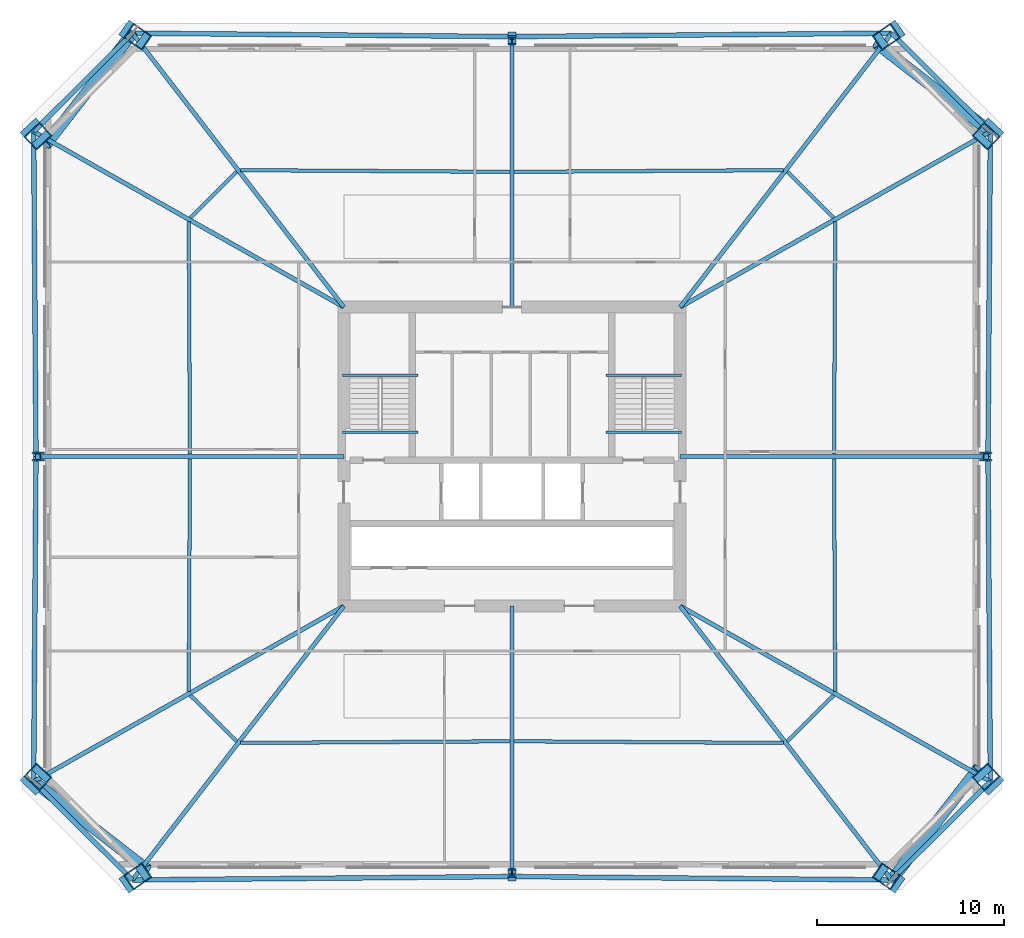
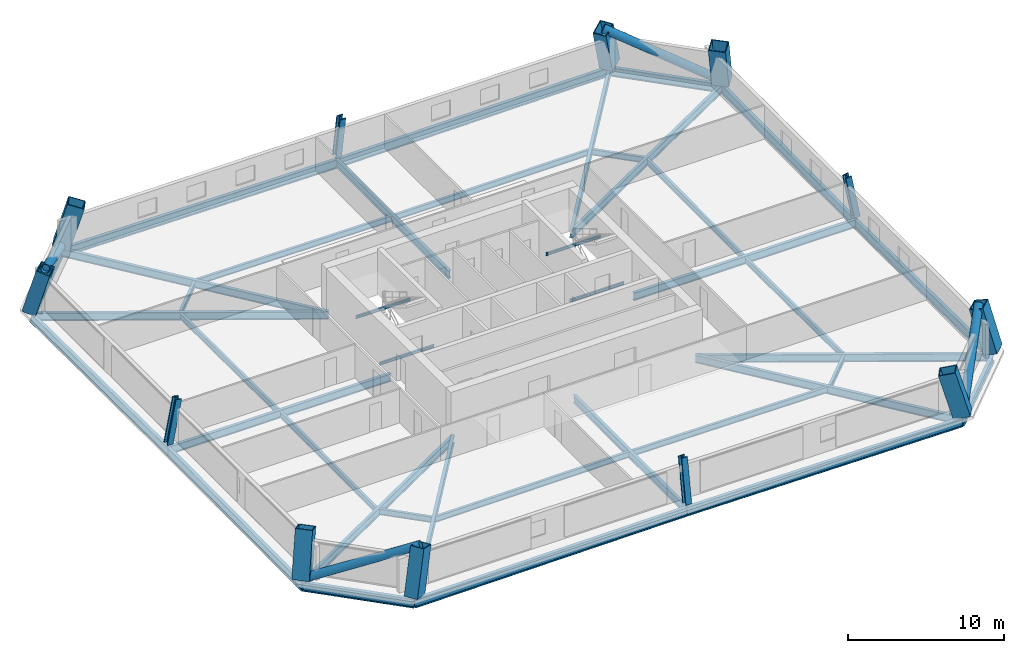
# One storey, part 1 of 10: 40 beams, 12 columns, 4 members.
"""IFC4 building model written with IfcOpenShell, lengths in metres."""

import ifcopenshell
import ifcopenshell.guid

model = None  # the IFC model being written
_history = None  # IfcOwnerHistory: only IFC2X3 demands one
_inside = {}  # id of a spatial element -> (the spatial element, [elements in it])
_under = {}  # id of a project, library or spatial element -> (it, [spatial elements below it])
_declared = {}  # id of a project -> (the project, [libraries it declares])
_typed = {}  # id of a type object -> (the type object, [elements of that type])
_made_of = {}  # id of a material, layer set ... -> (it, [elements and type objects made of it])


def new_model(schema):
    """Start an empty IFC model of exactly this schema.

    Asked for "IFC4X3", IfcOpenShell would pick the latest addendum, in which some entities
    have other attributes; the version numbers below select the first issue.
    IFC2X3 requires an IfcOwnerHistory on every rooted entity: one is made here for all.
    """
    global model, _history
    if schema == "IFC4X3":
        model = ifcopenshell.file(schema_version=(4, 3, 0, 0))
    else:
        model = ifcopenshell.file(schema=schema)
    _inside.clear()
    _under.clear()
    _declared.clear()
    _typed.clear()
    _made_of.clear()
    _history = None
    if model.schema == "IFC2X3":
        org = make("IfcOrganization", Name="unknown")
        user = make(
            "IfcPersonAndOrganization",
            ThePerson=make("IfcPerson", FamilyName="unknown"),
            TheOrganization=org,
        )
        app = make(
            "IfcApplication",
            ApplicationDeveloper=org,
            Version="unknown",
            ApplicationFullName="unknown",
            ApplicationIdentifier="unknown",
        )
        _history = make(
            "IfcOwnerHistory",
            OwningUser=user,
            OwningApplication=app,
            ChangeAction="ADDED",
            CreationDate=0,
        )
    return model


def make(cls, **values):
    """One entity of the class cls with the attributes given. An attribute that is None is left unset."""
    return model.create_entity(
        cls, **{name: value for name, value in values.items() if value is not None}
    )


def rooted(cls, **values):
    """An entity with a GlobalId (a new one), such as an element, a storey or a relation."""
    return make(cls, GlobalId=ifcopenshell.guid.new(), OwnerHistory=_history, **values)


def si_unit(unit_type, name, prefix=None):
    """IfcSIUnit, for example si_unit("LENGTHUNIT", "METRE", prefix="MILLI")."""
    return make("IfcSIUnit", UnitType=unit_type, Prefix=prefix, Name=name)


def assignment(units):
    """IfcUnitAssignment: the units of a project."""
    return None if units is None else make("IfcUnitAssignment", Units=units)


def point(xyz):
    """IfcCartesianPoint."""
    return None if xyz is None else make("IfcCartesianPoint", Coordinates=xyz)


def direction(xyz):
    """IfcDirection."""
    return None if xyz is None else make("IfcDirection", DirectionRatios=xyz)


def frame(location, z_axis=None, x_axis=None):
    """IfcAxis2Placement3D, a coordinate frame: its origin and axes. An axis left out is left unset."""
    return make(
        "IfcAxis2Placement3D",
        Location=point(location),
        Axis=direction(z_axis),
        RefDirection=direction(x_axis),
    )


def frame_2d(location, x_axis=None):
    """IfcAxis2Placement2D, a coordinate frame in the plane: its origin and x axis."""
    return make(
        "IfcAxis2Placement2D", Location=point(location), RefDirection=direction(x_axis)
    )


def origin():
    """The frame at (0, 0, 0) with its axes left unset."""
    return frame((0.0, 0.0, 0.0))


def origin_2d():
    """The frame at (0, 0) in the plane with its x axis left unset."""
    return frame_2d((0.0, 0.0))


def place(relative_to, where):
    """IfcLocalPlacement: puts the frame where relative to a parent placement (None: the world)."""
    return make(
        "IfcLocalPlacement", PlacementRelTo=relative_to, RelativePlacement=where
    )


def context(
    kind, dimensions, precision=None, world=None, true_north=None, identifier=None
):
    """IfcGeometricRepresentationContext, for example the 3D "Model" context."""
    return make(
        "IfcGeometricRepresentationContext",
        ContextIdentifier=identifier,
        ContextType=kind,
        CoordinateSpaceDimension=dimensions,
        Precision=precision,
        WorldCoordinateSystem=world,
        TrueNorth=true_north,
    )


def subcontext(parent, identifier, kind, view, scale=None):
    """IfcGeometricRepresentationSubContext, for example "Body" below "Model"."""
    return make(
        "IfcGeometricRepresentationSubContext",
        ContextIdentifier=identifier,
        ContextType=kind,
        ParentContext=parent,
        TargetScale=scale,
        TargetView=view,
    )


def project(units=None, contexts=None):
    """IfcProject with its units and contexts."""
    return rooted(
        "IfcProject",
        Name="project",
        RepresentationContexts=contexts,
        UnitsInContext=assignment(units),
    )


def spatial(cls, under=None, at=None, **own):
    """A site, building, storey or space (cls), placed at a placement, below another one or the project."""
    s = rooted(cls, ObjectPlacement=at, **own)
    if under is not None:
        _under.setdefault(under.id(), (under, []))[1].append(s)
    return s


def profile(cls, at=None, kind="AREA", **sizes):
    """A parametric profile (cls). Its sizes go by their IFC names, for example OverallWidth=200.0."""
    return make(cls, ProfileType=kind, Position=at, **sizes)


def hollow_rectangle(**sizes):
    """IfcRectangleHollowProfileDef."""
    return profile("IfcRectangleHollowProfileDef", **sizes)


def hollow_circle(**sizes):
    """IfcCircleHollowProfileDef."""
    return profile("IfcCircleHollowProfileDef", **sizes)


def i_section(**sizes):
    """IfcIShapeProfileDef."""
    return profile("IfcIShapeProfileDef", **sizes)


def extrude(swept, where, along, depth):
    """IfcExtrudedAreaSolid: the profile swept, set in the frame where, extruded along a direction by depth."""
    return make(
        "IfcExtrudedAreaSolid",
        SweptArea=swept,
        Position=where,
        ExtrudedDirection=direction(along),
        Depth=depth,
    )


def shape(context_of_items, identifier, shape_type, items):
    """IfcShapeRepresentation: the items that make up one representation, for example the "Body"."""
    return make(
        "IfcShapeRepresentation",
        ContextOfItems=context_of_items,
        RepresentationIdentifier=identifier,
        RepresentationType=shape_type,
        Items=items,
    )


def material(Name=None, Category=None):
    """IfcMaterial."""
    return make("IfcMaterial", Name=Name, Category=Category)


def material_profile(
    of_material, cross_section, Name=None, Category=None, Priority=None
):
    """IfcMaterialProfile: a cross section and its material."""
    return make(
        "IfcMaterialProfile",
        Name=Name,
        Material=of_material,
        Profile=cross_section,
        Priority=Priority,
        Category=Category,
    )


def profile_set(profiles, Name=None, composite=None):
    """IfcMaterialProfileSet."""
    return make(
        "IfcMaterialProfileSet",
        Name=Name,
        MaterialProfiles=profiles,
        CompositeProfile=composite,
    )


def made_of(thing, what):
    """Note that an element or type object is made of a material, layer set ...; save() writes the relation."""
    if what is not None:
        _made_of.setdefault(what.id(), (what, []))[1].append(thing)
    return thing


def type_object(cls, material=None, **own):
    """A type object (cls), such as IfcWallType, which elements share."""
    return made_of(rooted(cls, **own), material)


def element(
    cls,
    number,
    at=None,
    inside=None,
    cuts=None,
    type_object=None,
    material=None,
    context=None,
    identifier="Body",
    shape_type=None,
    held_by="IfcProductDefinitionShape",
    body=None,
    shapes=None,
    **own,
):
    """One element of the class cls, such as IfcWall. Its Tag is "e" and its number.

    at: its placement. inside: the storey or other place that contains it. cuts: it is an
    opening in that element (IfcRelVoidsElement). A single representation is given by context,
    identifier, shape_type and body (its items); several are given by shapes. held_by: the class
    of the entity that holds the representations. save() writes the other relations.
    """
    e = rooted(cls, Tag="e%d" % number, ObjectPlacement=at, **own)
    if body is not None:
        shapes = [shape(context, identifier, shape_type, body)]
    if shapes is not None:
        e.Representation = make(held_by, Representations=shapes)
    if inside is not None:
        _inside.setdefault(inside.id(), (inside, []))[1].append(e)
    if cuts is not None:
        rooted(
            "IfcRelVoidsElement", RelatingBuildingElement=cuts, RelatedOpeningElement=e
        )
    if type_object is not None:
        _typed.setdefault(type_object.id(), (type_object, []))[1].append(e)
    return made_of(e, material)


def aggregate(whole, parts):
    """IfcRelAggregates: a whole, such as a stair, and the parts it consists of."""
    return rooted("IfcRelAggregates", RelatingObject=whole, RelatedObjects=parts)


def save(model, path):
    """Write the relations noted so far, then the file.

    IfcRelAggregates (storeys below a building ...), IfcRelContainedInSpatialStructure (elements
    in a storey), IfcRelDefinesByType, IfcRelAssociatesMaterial and IfcRelDeclares: one each for
    every whole, place, type object, material and project.
    """
    for whole, parts in _under.values():
        aggregate(whole, parts)
    for where, things in _inside.values():
        rooted(
            "IfcRelContainedInSpatialStructure",
            RelatedElements=things,
            RelatingStructure=where,
        )
    for kind, things in _typed.values():
        rooted("IfcRelDefinesByType", RelatedObjects=things, RelatingType=kind)
    for what, things in _made_of.values():
        rooted("IfcRelAssociatesMaterial", RelatedObjects=things, RelatingMaterial=what)
    for by, libraries in _declared.values():
        rooted("IfcRelDeclares", RelatingContext=by, RelatedDefinitions=libraries)
    model.write(path)


model = new_model("IFC4")

# Units and contexts
model_context = context("Model", 3, precision=1e-05, world=origin(), true_north=direction((0.0, 1.0)))
body_context = subcontext(model_context, "Body", "Model", "MODEL_VIEW")
ifc_project = project(units=[si_unit("LENGTHUNIT", "METRE"), si_unit("AREAUNIT", "SQUARE_METRE"), si_unit("VOLUMEUNIT", "CUBIC_METRE"), si_unit("PLANEANGLEUNIT", "RADIAN"), si_unit("MASSUNIT", "GRAM", prefix="KILO")], contexts=[model_context])

# Site, building, storey
site_placement = place(None, origin())
site = spatial("IfcSite", under=ifc_project, at=site_placement, CompositionType="ELEMENT")
building_placement = place(site_placement, origin())
building = spatial("IfcBuilding", under=site, at=building_placement, Name="Caelvoria Tower", CompositionType="ELEMENT")
storey_placement = place(building_placement, frame((0.0, 0.0, 78.39990234375)))
storey = spatial("IfcBuildingStorey", under=building, at=storey_placement, Name="L20", CompositionType="ELEMENT", Elevation=78.39990234375)

# Columns
ifc_material_1 = material(Name="Structural Steel ASTM A913 Gr.65", Category="steel")
ifc_material_profile_1 = material_profile(ifc_material_1, i_section(OverallWidth=0.427978515625, OverallDepth=0.48291015625, WebThickness=0.050537109375, FlangeThickness=0.08154296875, FilletRadius=0.02490234375, at=origin_2d()), Name="Structural Steel ASTM A913 Gr.65")
ifc_profile_set_1 = profile_set([ifc_material_profile_1], Name="W360X677 - Structural Steel ASTM A913 Gr.65")
column_type_1 = type_object("IfcColumnType", Name="Heavy Frame Column W360X677", PredefinedType="COLUMN", material=ifc_profile_set_1)
column_1_placement = place(storey_placement, frame((46.0, 9.52001953125, 0.0), z_axis=(0.0, 0.161641018094, 0.986849624446), x_axis=(-1.0, 0.0, 0.0)))
element("IfcColumn", 1, at=column_1_placement, inside=storey, type_object=column_type_1, Name="Perimeter Megaframe Column L20-P01", PredefinedType="COLUMN", context=body_context, shape_type="SweptSolid", body=[
    extrude(i_section(OverallWidth=0.427978515625, OverallDepth=0.48291015625, WebThickness=0.050537109375, FlangeThickness=0.08154296875, FilletRadius=0.02490234375, at=origin_2d()), origin(), (0.0, 0.0, 1.0), 3.40283203125),
])
column_2_placement = place(storey_placement, frame((71.47998046875, 32.0, 0.0), z_axis=(-0.190004151907, 0.0, 0.981783286809), x_axis=(0.981783286809, 0.0, 0.190004151907)))
element("IfcColumn", 2, at=column_2_placement, inside=storey, type_object=column_type_1, Name="Perimeter Megaframe Column L20-P04", PredefinedType="COLUMN", context=body_context, shape_type="SweptSolid", body=[
    extrude(i_section(OverallWidth=0.427978515625, OverallDepth=0.48291015625, WebThickness=0.050537109375, FlangeThickness=0.08154296875, FilletRadius=0.02490234375, at=origin_2d()), origin(), (0.0, 0.0, 1.0), 3.42041015625),
])
column_3_placement = place(storey_placement, frame((46.0, 54.47998046875, 0.0), z_axis=(0.0, -0.161641018094, 0.986849624446), x_axis=(1.0, 0.0, 0.0)))
element("IfcColumn", 3, at=column_3_placement, inside=storey, type_object=column_type_1, Name="Perimeter Megaframe Column L20-P07", PredefinedType="COLUMN", context=body_context, shape_type="SweptSolid", body=[
    extrude(i_section(OverallWidth=0.427978515625, OverallDepth=0.48291015625, WebThickness=0.050537109375, FlangeThickness=0.08154296875, FilletRadius=0.02490234375, at=origin_2d()), origin(), (0.0, 0.0, 1.0), 3.40283203125),
])
column_4_placement = place(storey_placement, frame((20.52001953125, 32.0, 0.0), z_axis=(0.190004151907, 0.0, 0.981783286809), x_axis=(-0.981783286809, 0.0, 0.190004151907)))
element("IfcColumn", 4, at=column_4_placement, inside=storey, type_object=column_type_1, Name="Perimeter Megaframe Column L20-P10", PredefinedType="COLUMN", context=body_context, shape_type="SweptSolid", body=[
    extrude(i_section(OverallWidth=0.427978515625, OverallDepth=0.48291015625, WebThickness=0.050537109375, FlangeThickness=0.08154296875, FilletRadius=0.02490234375, at=origin_2d()), origin(), (0.0, 0.0, 1.0), 3.42041015625),
])
ifc_material_2 = material(Name="Structural Steel ASTM A572 Gr.50", Category="steel")
ifc_material_profile_2 = material_profile(ifc_material_2, hollow_rectangle(XDim=0.949951171875, YDim=1.14990234375, WallThickness=0.06005859375, at=origin_2d()), Name="Structural Steel ASTM A572 Gr.50")
ifc_profile_set_2 = profile_set([ifc_material_profile_2], Name="BOX1150X950X60 - Structural Steel ASTM A572 Gr.50")
column_type_2 = type_object("IfcColumnType", Name="Mega Box Column 1150x950x60", PredefinedType="COLUMN", material=ifc_profile_set_2)
for number, where, z_axis, x_axis, name in (
    (5, (25.6806640625, 9.336181640625, 0.0), (0.227706652534, 0.158346926777, 0.960768406627), (-0.570924282853, 0.821002718174, 0.0), "Perimeter Megaframe Column L20-P00"),
    (6, (66.3193359375, 9.336181640625, 0.0), (-0.227706652534, 0.158346926777, 0.960768406627), (-0.570924282853, -0.821002718174, 0.0), "Perimeter Megaframe Column L20-P02"),
):
    element("IfcColumn", number, at=place(storey_placement, frame(where, z_axis=z_axis, x_axis=x_axis)), inside=storey, type_object=column_type_2, Name=name, PredefinedType="COLUMN", context=body_context, shape_type="SweptSolid", body=[
        extrude(hollow_rectangle(XDim=0.949951171875, YDim=1.14990234375, WallThickness=0.06005859375, at=origin_2d()), origin(), (0.0, 0.0, 1.0), 3.495361328125),
    ])
for number, where, z_axis, x_axis, name in (
    (7, (71.6044921875, 14.6044921875, 0.0), (-0.186998264307, 0.199376234682, 0.961915155401), (0.658048855079, -0.701607062764, 0.273348191525), "Perimeter Megaframe Column L20-P03"),
    (8, (71.6044921875, 49.3955078125, 0.0), (-0.186998264307, -0.199376234682, 0.961915155401), (0.658048855079, 0.701607062764, 0.273348191525), "Perimeter Megaframe Column L20-P05"),
):
    element("IfcColumn", number, at=place(storey_placement, frame(where, z_axis=z_axis, x_axis=x_axis)), inside=storey, type_object=column_type_2, Name=name, PredefinedType="COLUMN", context=body_context, shape_type="SweptSolid", body=[
        extrude(hollow_rectangle(XDim=0.949951171875, YDim=1.14990234375, WallThickness=0.06005859375, at=origin_2d()), origin(), (0.0, 0.0, 1.0), 3.4912109375),
    ])
for number, where, z_axis, x_axis, name in (
    (9, (66.3193359375, 54.663818359375, 0.0), (-0.227706652534, -0.158346926777, 0.960768406627), (0.570924282853, -0.821002718174, 0.0), "Perimeter Megaframe Column L20-P06"),
    (10, (25.6806640625, 54.663818359375, 0.0), (0.227706652534, -0.158346926777, 0.960768406627), (0.570924282853, 0.821002718174, 0.0), "Perimeter Megaframe Column L20-P08"),
):
    element("IfcColumn", number, at=place(storey_placement, frame(where, z_axis=z_axis, x_axis=x_axis)), inside=storey, type_object=column_type_2, Name=name, PredefinedType="COLUMN", context=body_context, shape_type="SweptSolid", body=[
        extrude(hollow_rectangle(XDim=0.949951171875, YDim=1.14990234375, WallThickness=0.06005859375, at=origin_2d()), origin(), (0.0, 0.0, 1.0), 3.495361328125),
    ])
for number, where, z_axis, x_axis, name in (
    (11, (20.3955078125, 49.3955078125, 0.0), (0.186998264307, -0.199376234682, 0.961915155401), (-0.658048855079, 0.701607062764, 0.273348191525), "Perimeter Megaframe Column L20-P09"),
    (12, (20.3955078125, 14.6044921875, 0.0), (0.186998264307, 0.199376234682, 0.961915155401), (-0.658048855079, -0.701607062764, 0.273348191525), "Perimeter Megaframe Column L20-P11"),
):
    element("IfcColumn", number, at=place(storey_placement, frame(where, z_axis=z_axis, x_axis=x_axis)), inside=storey, type_object=column_type_2, Name=name, PredefinedType="COLUMN", context=body_context, shape_type="SweptSolid", body=[
        extrude(hollow_rectangle(XDim=0.949951171875, YDim=1.14990234375, WallThickness=0.06005859375, at=origin_2d()), origin(), (0.0, 0.0, 1.0), 3.4912109375),
    ])

# Beams
ifc_material_3 = material(Name="Structural Steel ASTM A992 Gr.50", Category="steel")
ifc_material_profile_3 = material_profile(ifc_material_3, i_section(OverallWidth=0.134033203125, OverallDepth=0.2099609375, WebThickness=0.00634765625, FlangeThickness=0.01025390625, FilletRadius=0.010009765625, at=origin_2d()), Name="Structural Steel ASTM A992 Gr.50")
ifc_profile_set_3 = profile_set([ifc_material_profile_3], Name="W200X31.3 - Structural Steel ASTM A992 Gr.50")
beam_type_1 = type_object("IfcBeamType", Name="Canopy Edge Trim Beam W200X31.3", PredefinedType="BEAM", material=ifc_profile_set_3)
for number, where, z_axis, x_axis, name in (
    (13, (36.929931640625, 36.35009765625, 1.4951171875), (1.0, 0.0, 0.0), (0.0, 1.0, 0.0), "ST-01 Half-Landing Support Beam L20"),
    (14, (36.929931640625, 33.300048828125, -0.304931640625), (1.0, 0.0, 0.0), (0.0, 1.0, 0.0), "ST-01 Floor-Landing Support Beam L20"),
    (15, (51.030029296875, 36.35009765625, 1.4951171875), (1.0, 0.0, 0.0), (0.0, 1.0, 0.0), "ST-02 Half-Landing Support Beam L20"),
    (16, (51.030029296875, 33.300048828125, -0.304931640625), (1.0, 0.0, 0.0), (0.0, 1.0, 0.0), "ST-02 Floor-Landing Support Beam L20"),
):
    element("IfcBeam", number, at=place(storey_placement, frame(where, z_axis=z_axis, x_axis=x_axis)), inside=storey, type_object=beam_type_1, Name=name, PredefinedType="BEAM", context=body_context, shape_type="SweptSolid", body=[
        extrude(i_section(OverallWidth=0.134033203125, OverallDepth=0.2099609375, WebThickness=0.00634765625, FlangeThickness=0.01025390625, FilletRadius=0.010009765625, at=origin_2d()), origin(), (0.0, 0.0, 1.0), 4.0400390625),
    ])

# Members
ifc_material_profile_4 = material_profile(ifc_material_2, hollow_circle(Radius=0.304931640625, WallThickness=0.02490234375, at=origin_2d()), Name="Structural Steel ASTM A572 Gr.50")
ifc_profile_set_4 = profile_set([ifc_material_profile_4], Name="CHS610X25 - Structural Steel ASTM A572 Gr.50")
member_type = type_object("IfcMemberType", Name="Lower Perimeter Mega Brace CHS610X25", PredefinedType="BRACE", material=ifc_profile_set_4)
member_1_placement = place(storey_placement, frame((66.3193359375, 9.336181640625, 0.0), z_axis=(0.560425328023, 0.721576407906, 0.406510687761), x_axis=(-0.789776770664, 0.613394369488, 0.0)))
element("IfcMember", 17, at=member_1_placement, inside=storey, type_object=member_type, Name="Perimeter Chamfer Mega Brace L20 SE", PredefinedType="BRACE", context=body_context, shape_type="SweptSolid", body=[
    extrude(hollow_circle(Radius=0.304931640625, WallThickness=0.02490234375, at=origin_2d()), origin(), (0.0, 0.0, 1.0), 8.265625),
])
member_2_placement = place(storey_placement, frame((71.6044921875, 49.3955078125, 0.0), z_axis=(-0.724246671498, 0.56153250843, 0.400184958239), x_axis=(-0.612736178252, -0.790287527335, 0.0)))
element("IfcMember", 18, at=member_2_placement, inside=storey, type_object=member_type, Name="Perimeter Chamfer Mega Brace L20 NE", PredefinedType="BRACE", context=body_context, shape_type="SweptSolid", body=[
    extrude(hollow_circle(Radius=0.304931640625, WallThickness=0.02490234375, at=origin_2d()), origin(), (0.0, 0.0, 1.0), 8.396484375),
])
member_3_placement = place(storey_placement, frame((25.6806640625, 54.663818359375, 0.0), z_axis=(-0.560425328023, -0.721576407906, 0.406510687761), x_axis=(0.789776770664, -0.613394369488, 0.0)))
element("IfcMember", 19, at=member_3_placement, inside=storey, type_object=member_type, Name="Perimeter Chamfer Mega Brace L20 NW", PredefinedType="BRACE", context=body_context, shape_type="SweptSolid", body=[
    extrude(hollow_circle(Radius=0.304931640625, WallThickness=0.02490234375, at=origin_2d()), origin(), (0.0, 0.0, 1.0), 8.265625),
])
member_4_placement = place(storey_placement, frame((20.3955078125, 14.6044921875, 0.0), z_axis=(0.724246671498, -0.56153250843, 0.400184958239), x_axis=(0.612736178252, 0.790287527335, 0.0)))
element("IfcMember", 20, at=member_4_placement, inside=storey, type_object=member_type, Name="Perimeter Chamfer Mega Brace L20 SW", PredefinedType="BRACE", context=body_context, shape_type="SweptSolid", body=[
    extrude(hollow_circle(Radius=0.304931640625, WallThickness=0.02490234375, at=origin_2d()), origin(), (0.0, 0.0, 1.0), 8.396484375),
])

# Beams
ifc_material_profile_5 = material_profile(ifc_material_3, i_section(OverallWidth=0.25390625, OverallDepth=0.68798828125, WebThickness=0.01318359375, FlangeThickness=0.02099609375, FilletRadius=0.01904296875, at=origin_2d()), Name="Structural Steel ASTM A992 Gr.50")
ifc_profile_set_5 = profile_set([ifc_material_profile_5], Name="W690X152 - Structural Steel ASTM A992 Gr.50")
beam_type_2 = type_object("IfcBeamType", Name="Perimeter Spandrel Girder W690X152", PredefinedType="BEAM", material=ifc_profile_set_5)
for number, where, z_axis, x_axis, name in (
    (21, (25.6806640625, 9.336181640625, -0.583984375), (0.999959074464, 0.009047065688, 0.0), (-0.009047065688, 0.999959074464, 0.0), "Perimeter Spandrel Girder L20-00"),
    (22, (46.0, 9.52001953125, -0.583984375), (0.999959074464, -0.009047065688, 0.0), (0.009047065688, 0.999959074464, 0.0), "Perimeter Spandrel Girder L20-01"),
):
    element("IfcBeam", number, at=place(storey_placement, frame(where, z_axis=z_axis, x_axis=x_axis)), inside=storey, type_object=beam_type_2, Name=name, PredefinedType="BEAM", context=body_context, shape_type="SweptSolid", body=[
        extrude(i_section(OverallWidth=0.25390625, OverallDepth=0.68798828125, WebThickness=0.01318359375, FlangeThickness=0.02099609375, FilletRadius=0.01904296875, at=origin_2d()), origin(), (0.0, 0.0, 1.0), 20.320068359375),
    ])
beam_1_placement = place(storey_placement, frame((66.3193359375, 9.336181640625, -0.583984375), z_axis=(0.708234580146, 0.70597718057, 0.0), x_axis=(-0.70597718057, 0.708234580146, 0.0)))
element("IfcBeam", 23, at=beam_1_placement, inside=storey, type_object=beam_type_2, Name="Perimeter Spandrel Girder L20-02", PredefinedType="BEAM", context=body_context, shape_type="SweptSolid", body=[
    extrude(i_section(OverallWidth=0.25390625, OverallDepth=0.68798828125, WebThickness=0.01318359375, FlangeThickness=0.02099609375, FilletRadius=0.01904296875, at=origin_2d()), origin(), (0.0, 0.0, 1.0), 7.46240234375),
])
for number, where, z_axis, x_axis, name in (
    (24, (71.6044921875, 14.6044921875, -0.583984375), (-0.007157510473, 0.999974384694, 0.0), (-0.999974384694, -0.007157510473, 0.0), "Perimeter Spandrel Girder L20-03"),
    (25, (71.47998046875, 32.0, -0.583984375), (0.007157510473, 0.999974384694, 0.0), (-0.999974384694, 0.007157510473, 0.0), "Perimeter Spandrel Girder L20-04"),
):
    element("IfcBeam", number, at=place(storey_placement, frame(where, z_axis=z_axis, x_axis=x_axis)), inside=storey, type_object=beam_type_2, Name=name, PredefinedType="BEAM", context=body_context, shape_type="SweptSolid", body=[
        extrude(i_section(OverallWidth=0.25390625, OverallDepth=0.68798828125, WebThickness=0.01318359375, FlangeThickness=0.02099609375, FilletRadius=0.01904296875, at=origin_2d()), origin(), (0.0, 0.0, 1.0), 17.39599609375),
    ])
beam_2_placement = place(storey_placement, frame((71.6044921875, 49.3955078125, -0.583984375), z_axis=(-0.708234580146, 0.70597718057, 0.0), x_axis=(-0.70597718057, -0.708234580146, 0.0)))
element("IfcBeam", 26, at=beam_2_placement, inside=storey, type_object=beam_type_2, Name="Perimeter Spandrel Girder L20-05", PredefinedType="BEAM", context=body_context, shape_type="SweptSolid", body=[
    extrude(i_section(OverallWidth=0.25390625, OverallDepth=0.68798828125, WebThickness=0.01318359375, FlangeThickness=0.02099609375, FilletRadius=0.01904296875, at=origin_2d()), origin(), (0.0, 0.0, 1.0), 7.46240234375),
])
for number, where, z_axis, x_axis, name in (
    (27, (66.3193359375, 54.663818359375, -0.583984375), (-0.999959074464, -0.009047065688, 0.0), (0.009047065688, -0.999959074464, 0.0), "Perimeter Spandrel Girder L20-06"),
    (28, (46.0, 54.47998046875, -0.583984375), (-0.999959074464, 0.009047065688, 0.0), (-0.009047065688, -0.999959074464, 0.0), "Perimeter Spandrel Girder L20-07"),
):
    element("IfcBeam", number, at=place(storey_placement, frame(where, z_axis=z_axis, x_axis=x_axis)), inside=storey, type_object=beam_type_2, Name=name, PredefinedType="BEAM", context=body_context, shape_type="SweptSolid", body=[
        extrude(i_section(OverallWidth=0.25390625, OverallDepth=0.68798828125, WebThickness=0.01318359375, FlangeThickness=0.02099609375, FilletRadius=0.01904296875, at=origin_2d()), origin(), (0.0, 0.0, 1.0), 20.320068359375),
    ])
beam_3_placement = place(storey_placement, frame((25.6806640625, 54.663818359375, -0.583984375), z_axis=(-0.708234580146, -0.70597718057, 0.0), x_axis=(0.70597718057, -0.708234580146, 0.0)))
element("IfcBeam", 29, at=beam_3_placement, inside=storey, type_object=beam_type_2, Name="Perimeter Spandrel Girder L20-08", PredefinedType="BEAM", context=body_context, shape_type="SweptSolid", body=[
    extrude(i_section(OverallWidth=0.25390625, OverallDepth=0.68798828125, WebThickness=0.01318359375, FlangeThickness=0.02099609375, FilletRadius=0.01904296875, at=origin_2d()), origin(), (0.0, 0.0, 1.0), 7.46240234375),
])
for number, where, z_axis, x_axis, name in (
    (30, (20.3955078125, 49.3955078125, -0.583984375), (0.007157510473, -0.999974384694, 0.0), (0.999974384694, 0.007157510473, 0.0), "Perimeter Spandrel Girder L20-09"),
    (31, (20.52001953125, 32.0, -0.583984375), (-0.007157510473, -0.999974384694, 0.0), (0.999974384694, -0.007157510473, 0.0), "Perimeter Spandrel Girder L20-10"),
):
    element("IfcBeam", number, at=place(storey_placement, frame(where, z_axis=z_axis, x_axis=x_axis)), inside=storey, type_object=beam_type_2, Name=name, PredefinedType="BEAM", context=body_context, shape_type="SweptSolid", body=[
        extrude(i_section(OverallWidth=0.25390625, OverallDepth=0.68798828125, WebThickness=0.01318359375, FlangeThickness=0.02099609375, FilletRadius=0.01904296875, at=origin_2d()), origin(), (0.0, 0.0, 1.0), 17.39599609375),
    ])
beam_4_placement = place(storey_placement, frame((20.3955078125, 14.6044921875, -0.583984375), z_axis=(0.708234580146, -0.70597718057, 0.0), x_axis=(0.70597718057, 0.708234580146, 0.0)))
element("IfcBeam", 32, at=beam_4_placement, inside=storey, type_object=beam_type_2, Name="Perimeter Spandrel Girder L20-11", PredefinedType="BEAM", context=body_context, shape_type="SweptSolid", body=[
    extrude(i_section(OverallWidth=0.25390625, OverallDepth=0.68798828125, WebThickness=0.01318359375, FlangeThickness=0.02099609375, FilletRadius=0.01904296875, at=origin_2d()), origin(), (0.0, 0.0, 1.0), 7.46240234375),
])
ifc_material_profile_6 = material_profile(ifc_material_3, i_section(OverallWidth=0.22900390625, OverallDepth=0.612060546875, WebThickness=0.011962890625, FlangeThickness=0.01953125, FilletRadius=0.01806640625, at=origin_2d()), Name="Structural Steel ASTM A992 Gr.50")
ifc_profile_set_6 = profile_set([ifc_material_profile_6], Name="W610X125 - Structural Steel ASTM A992 Gr.50")
beam_type_3 = type_object("IfcBeamType", Name="Primary Radial Floor Girder W610X125", PredefinedType="BEAM", material=ifc_profile_set_6)
beam_5_placement = place(storey_placement, frame((37.0, 24.0, -0.5458984375), z_axis=(-0.611048700367, -0.791593005136, 0.0), x_axis=(0.791593005136, -0.611048700367, 0.0)))
element("IfcBeam", 33, at=beam_5_placement, inside=storey, type_object=beam_type_3, Name="Primary Floor Girder L20-00", PredefinedType="BEAM", context=body_context, shape_type="SweptSolid", body=[
    extrude(i_section(OverallWidth=0.22900390625, OverallDepth=0.612060546875, WebThickness=0.011962890625, FlangeThickness=0.01953125, FilletRadius=0.01806640625, at=origin_2d()), origin(), (0.0, 0.0, 1.0), 18.5244140625),
])
beam_6_placement = place(storey_placement, frame((46.0, 24.0, -0.5458984375), z_axis=(0.0, -1.0, 0.0), x_axis=(1.0, 0.0, 0.0)))
element("IfcBeam", 34, at=beam_6_placement, inside=storey, type_object=beam_type_3, Name="Primary Floor Girder L20-01", PredefinedType="BEAM", context=body_context, shape_type="SweptSolid", body=[
    extrude(i_section(OverallWidth=0.22900390625, OverallDepth=0.612060546875, WebThickness=0.011962890625, FlangeThickness=0.01953125, FilletRadius=0.01806640625, at=origin_2d()), origin(), (0.0, 0.0, 1.0), 14.47998046875),
])
beam_7_placement = place(storey_placement, frame((55.0, 24.0, -0.5458984375), z_axis=(0.611048700367, -0.791593005136, 0.0), x_axis=(0.791593005136, 0.611048700367, 0.0)))
element("IfcBeam", 35, at=beam_7_placement, inside=storey, type_object=beam_type_3, Name="Primary Floor Girder L20-02", PredefinedType="BEAM", context=body_context, shape_type="SweptSolid", body=[
    extrude(i_section(OverallWidth=0.22900390625, OverallDepth=0.612060546875, WebThickness=0.011962890625, FlangeThickness=0.01953125, FilletRadius=0.01806640625, at=origin_2d()), origin(), (0.0, 0.0, 1.0), 18.5244140625),
])
beam_8_placement = place(storey_placement, frame((55.0, 24.0, -0.5458984375), z_axis=(0.870330127245, -0.492468749881, 0.0), x_axis=(0.492468749881, 0.870330127245, 0.0)))
element("IfcBeam", 36, at=beam_8_placement, inside=storey, type_object=beam_type_3, Name="Primary Floor Girder L20-03", PredefinedType="BEAM", context=body_context, shape_type="SweptSolid", body=[
    extrude(i_section(OverallWidth=0.22900390625, OverallDepth=0.612060546875, WebThickness=0.011962890625, FlangeThickness=0.01953125, FilletRadius=0.01806640625, at=origin_2d()), origin(), (0.0, 0.0, 1.0), 19.078369140625),
])
beam_9_placement = place(storey_placement, frame((55.0, 32.0, -0.5458984375), z_axis=(1.0, 0.0, 0.0), x_axis=(0.0, 1.0, 0.0)))
element("IfcBeam", 37, at=beam_9_placement, inside=storey, type_object=beam_type_3, Name="Primary Floor Girder L20-04", PredefinedType="BEAM", context=body_context, shape_type="SweptSolid", body=[
    extrude(i_section(OverallWidth=0.22900390625, OverallDepth=0.612060546875, WebThickness=0.011962890625, FlangeThickness=0.01953125, FilletRadius=0.01806640625, at=origin_2d()), origin(), (0.0, 0.0, 1.0), 16.47998046875),
])
beam_10_placement = place(storey_placement, frame((55.0, 40.0, -0.5458984375), z_axis=(0.870330127245, 0.492468749881, 0.0), x_axis=(-0.492468749881, 0.870330127245, 0.0)))
element("IfcBeam", 38, at=beam_10_placement, inside=storey, type_object=beam_type_3, Name="Primary Floor Girder L20-05", PredefinedType="BEAM", context=body_context, shape_type="SweptSolid", body=[
    extrude(i_section(OverallWidth=0.22900390625, OverallDepth=0.612060546875, WebThickness=0.011962890625, FlangeThickness=0.01953125, FilletRadius=0.01806640625, at=origin_2d()), origin(), (0.0, 0.0, 1.0), 19.078369140625),
])
beam_11_placement = place(storey_placement, frame((55.0, 40.0, -0.5458984375), z_axis=(0.611048700367, 0.791593005136, 0.0), x_axis=(-0.791593005136, 0.611048700367, 0.0)))
element("IfcBeam", 39, at=beam_11_placement, inside=storey, type_object=beam_type_3, Name="Primary Floor Girder L20-06", PredefinedType="BEAM", context=body_context, shape_type="SweptSolid", body=[
    extrude(i_section(OverallWidth=0.22900390625, OverallDepth=0.612060546875, WebThickness=0.011962890625, FlangeThickness=0.01953125, FilletRadius=0.01806640625, at=origin_2d()), origin(), (0.0, 0.0, 1.0), 18.5244140625),
])
beam_12_placement = place(storey_placement, frame((46.0, 40.0, -0.5458984375), z_axis=(0.0, 1.0, 0.0), x_axis=(-1.0, 0.0, 0.0)))
element("IfcBeam", 40, at=beam_12_placement, inside=storey, type_object=beam_type_3, Name="Primary Floor Girder L20-07", PredefinedType="BEAM", context=body_context, shape_type="SweptSolid", body=[
    extrude(i_section(OverallWidth=0.22900390625, OverallDepth=0.612060546875, WebThickness=0.011962890625, FlangeThickness=0.01953125, FilletRadius=0.01806640625, at=origin_2d()), origin(), (0.0, 0.0, 1.0), 14.47998046875),
])
beam_13_placement = place(storey_placement, frame((37.0, 40.0, -0.5458984375), z_axis=(-0.611048700367, 0.791593005136, 0.0), x_axis=(-0.791593005136, -0.611048700367, 0.0)))
element("IfcBeam", 41, at=beam_13_placement, inside=storey, type_object=beam_type_3, Name="Primary Floor Girder L20-08", PredefinedType="BEAM", context=body_context, shape_type="SweptSolid", body=[
    extrude(i_section(OverallWidth=0.22900390625, OverallDepth=0.612060546875, WebThickness=0.011962890625, FlangeThickness=0.01953125, FilletRadius=0.01806640625, at=origin_2d()), origin(), (0.0, 0.0, 1.0), 18.5244140625),
])
beam_14_placement = place(storey_placement, frame((37.0, 40.0, -0.5458984375), z_axis=(-0.870330127245, 0.492468749881, 0.0), x_axis=(-0.492468749881, -0.870330127245, 0.0)))
element("IfcBeam", 42, at=beam_14_placement, inside=storey, type_object=beam_type_3, Name="Primary Floor Girder L20-09", PredefinedType="BEAM", context=body_context, shape_type="SweptSolid", body=[
    extrude(i_section(OverallWidth=0.22900390625, OverallDepth=0.612060546875, WebThickness=0.011962890625, FlangeThickness=0.01953125, FilletRadius=0.01806640625, at=origin_2d()), origin(), (0.0, 0.0, 1.0), 19.078369140625),
])
beam_15_placement = place(storey_placement, frame((37.0, 32.0, -0.5458984375), z_axis=(-1.0, 0.0, 0.0), x_axis=(0.0, -1.0, 0.0)))
element("IfcBeam", 43, at=beam_15_placement, inside=storey, type_object=beam_type_3, Name="Primary Floor Girder L20-10", PredefinedType="BEAM", context=body_context, shape_type="SweptSolid", body=[
    extrude(i_section(OverallWidth=0.22900390625, OverallDepth=0.612060546875, WebThickness=0.011962890625, FlangeThickness=0.01953125, FilletRadius=0.01806640625, at=origin_2d()), origin(), (0.0, 0.0, 1.0), 16.47998046875),
])
beam_16_placement = place(storey_placement, frame((37.0, 24.0, -0.5458984375), z_axis=(-0.870330127245, -0.492468749881, 0.0), x_axis=(0.492468749881, -0.870330127245, 0.0)))
element("IfcBeam", 44, at=beam_16_placement, inside=storey, type_object=beam_type_3, Name="Primary Floor Girder L20-11", PredefinedType="BEAM", context=body_context, shape_type="SweptSolid", body=[
    extrude(i_section(OverallWidth=0.22900390625, OverallDepth=0.612060546875, WebThickness=0.011962890625, FlangeThickness=0.01953125, FilletRadius=0.01806640625, at=origin_2d()), origin(), (0.0, 0.0, 1.0), 19.078369140625),
])
ifc_material_profile_7 = material_profile(ifc_material_3, i_section(OverallWidth=0.18994140625, OverallDepth=0.45703125, WebThickness=0.009033203125, FlangeThickness=0.014404296875, FilletRadius=0.014892578125, at=origin_2d()), Name="Structural Steel ASTM A992 Gr.50")
ifc_profile_set_7 = profile_set([ifc_material_profile_7], Name="W460X74 - Structural Steel ASTM A992 Gr.50")
beam_type_4 = type_object("IfcBeamType", Name="Secondary Floor Beam W460X74", PredefinedType="BEAM", material=ifc_profile_set_7)
for number, where, z_axis, x_axis, name in (
    (45, (31.46533203125, 16.6689453125, -0.468505859375), (0.999980351346, 0.006268725729, 0.0), (-0.006268725729, 0.999980351346, 0.0), "Secondary Floor Beam L20-00"),
    (46, (46.125, 16.75927734375, -0.468505859375), (0.999980351346, -0.006268725729, 0.0), (0.006268725729, 0.999980351346, 0.0), "Secondary Floor Beam L20-01"),
):
    element("IfcBeam", number, at=place(storey_placement, frame(where, z_axis=z_axis, x_axis=x_axis)), inside=storey, type_object=beam_type_4, Name=name, PredefinedType="BEAM", context=body_context, shape_type="SweptSolid", body=[
        extrude(i_section(OverallWidth=0.18994140625, OverallDepth=0.45703125, WebThickness=0.009033203125, FlangeThickness=0.014404296875, FilletRadius=0.014892578125, at=origin_2d()), origin(), (0.0, 0.0, 1.0), 14.409912109375),
    ])
beam_17_placement = place(storey_placement, frame((60.748291015625, 16.75634765625, -0.468505859375), z_axis=(0.708192991705, 0.706018899534, 0.0), x_axis=(-0.706018899534, 0.708192991705, 0.0)))
element("IfcBeam", 47, at=beam_17_placement, inside=storey, type_object=beam_type_4, Name="Secondary Floor Beam L20-02", PredefinedType="BEAM", context=body_context, shape_type="SweptSolid", body=[
    extrude(i_section(OverallWidth=0.18994140625, OverallDepth=0.45703125, WebThickness=0.009033203125, FlangeThickness=0.014404296875, FilletRadius=0.014892578125, at=origin_2d()), origin(), (0.0, 0.0, 1.0), 3.481201171875),
])
for number, where, z_axis, x_axis, name in (
    (48, (63.301513671875, 19.42724609375, -0.468505859375), (-0.004903247847, 0.999987979008, 0.0), (-0.999987979008, -0.004903247847, 0.0), "Secondary Floor Beam L20-03"),
    (49, (63.240478515625, 32.125, -0.468505859375), (0.004903247847, 0.999987979008, 0.0), (-0.999987979008, 0.004903247847, 0.0), "Secondary Floor Beam L20-04"),
):
    element("IfcBeam", number, at=place(storey_placement, frame(where, z_axis=z_axis, x_axis=x_axis)), inside=storey, type_object=beam_type_4, Name=name, PredefinedType="BEAM", context=body_context, shape_type="SweptSolid", body=[
        extrude(i_section(OverallWidth=0.18994140625, OverallDepth=0.45703125, WebThickness=0.009033203125, FlangeThickness=0.014404296875, FilletRadius=0.014892578125, at=origin_2d()), origin(), (0.0, 0.0, 1.0), 12.447998046875),
    ])
beam_18_placement = place(storey_placement, frame((63.213623046875, 44.785888671875, -0.468505859375), z_axis=(-0.708192991705, 0.706018899534, 0.0), x_axis=(-0.706018899534, -0.708192991705, 0.0)))
element("IfcBeam", 50, at=beam_18_placement, inside=storey, type_object=beam_type_4, Name="Secondary Floor Beam L20-05", PredefinedType="BEAM", context=body_context, shape_type="SweptSolid", body=[
    extrude(i_section(OverallWidth=0.18994140625, OverallDepth=0.45703125, WebThickness=0.009033203125, FlangeThickness=0.014404296875, FilletRadius=0.014892578125, at=origin_2d()), origin(), (0.0, 0.0, 1.0), 3.481201171875),
])
for number, where, z_axis, x_axis, name in (
    (51, (60.53466796875, 47.3310546875, -0.468505859375), (-0.999980351346, -0.006268725729, 0.0), (0.006268725729, -0.999980351346, 0.0), "Secondary Floor Beam L20-06"),
    (52, (45.875, 47.24072265625, -0.468505859375), (-0.999980351346, 0.006268725729, 0.0), (-0.006268725729, -0.999980351346, 0.0), "Secondary Floor Beam L20-07"),
):
    element("IfcBeam", number, at=place(storey_placement, frame(where, z_axis=z_axis, x_axis=x_axis)), inside=storey, type_object=beam_type_4, Name=name, PredefinedType="BEAM", context=body_context, shape_type="SweptSolid", body=[
        extrude(i_section(OverallWidth=0.18994140625, OverallDepth=0.45703125, WebThickness=0.009033203125, FlangeThickness=0.014404296875, FilletRadius=0.014892578125, at=origin_2d()), origin(), (0.0, 0.0, 1.0), 14.409912109375),
    ])
beam_19_placement = place(storey_placement, frame((31.251708984375, 47.24365234375, -0.468505859375), z_axis=(-0.708192991705, -0.706018899534, 0.0), x_axis=(0.706018899534, -0.708192991705, 0.0)))
element("IfcBeam", 53, at=beam_19_placement, inside=storey, type_object=beam_type_4, Name="Secondary Floor Beam L20-08", PredefinedType="BEAM", context=body_context, shape_type="SweptSolid", body=[
    extrude(i_section(OverallWidth=0.18994140625, OverallDepth=0.45703125, WebThickness=0.009033203125, FlangeThickness=0.014404296875, FilletRadius=0.014892578125, at=origin_2d()), origin(), (0.0, 0.0, 1.0), 3.481201171875),
])
for number, where, z_axis, x_axis, name in (
    (54, (28.698486328125, 44.57275390625, -0.468505859375), (0.004903247847, -0.999987979008, 0.0), (0.999987979008, 0.004903247847, 0.0), "Secondary Floor Beam L20-09"),
    (55, (28.759521484375, 31.875, -0.468505859375), (-0.004903247847, -0.999987979008, 0.0), (0.999987979008, -0.004903247847, 0.0), "Secondary Floor Beam L20-10"),
):
    element("IfcBeam", number, at=place(storey_placement, frame(where, z_axis=z_axis, x_axis=x_axis)), inside=storey, type_object=beam_type_4, Name=name, PredefinedType="BEAM", context=body_context, shape_type="SweptSolid", body=[
        extrude(i_section(OverallWidth=0.18994140625, OverallDepth=0.45703125, WebThickness=0.009033203125, FlangeThickness=0.014404296875, FilletRadius=0.014892578125, at=origin_2d()), origin(), (0.0, 0.0, 1.0), 12.447998046875),
    ])
beam_20_placement = place(storey_placement, frame((28.786376953125, 19.214111328125, -0.468505859375), z_axis=(0.708192991705, -0.706018899534, 0.0), x_axis=(0.706018899534, 0.708192991705, 0.0)))
element("IfcBeam", 56, at=beam_20_placement, inside=storey, type_object=beam_type_4, Name="Secondary Floor Beam L20-11", PredefinedType="BEAM", context=body_context, shape_type="SweptSolid", body=[
    extrude(i_section(OverallWidth=0.18994140625, OverallDepth=0.45703125, WebThickness=0.009033203125, FlangeThickness=0.014404296875, FilletRadius=0.014892578125, at=origin_2d()), origin(), (0.0, 0.0, 1.0), 3.481201171875),
])

save(model, "model.ifc")
